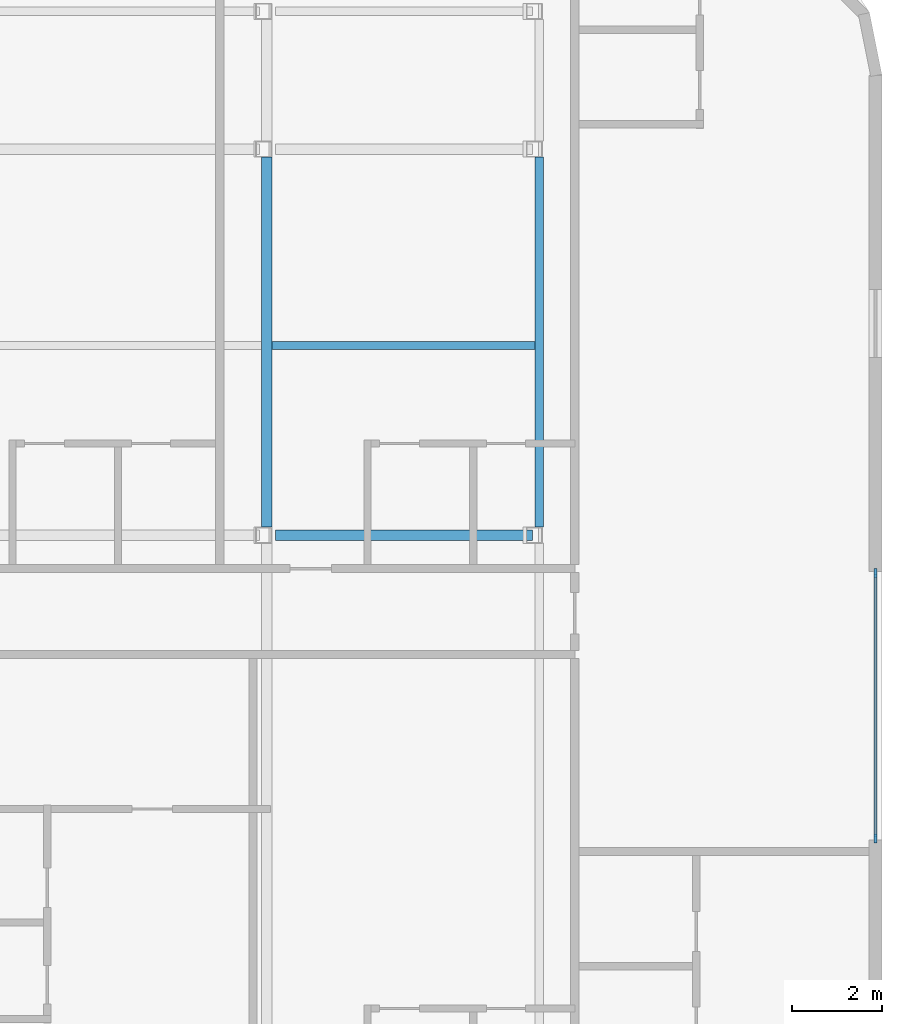
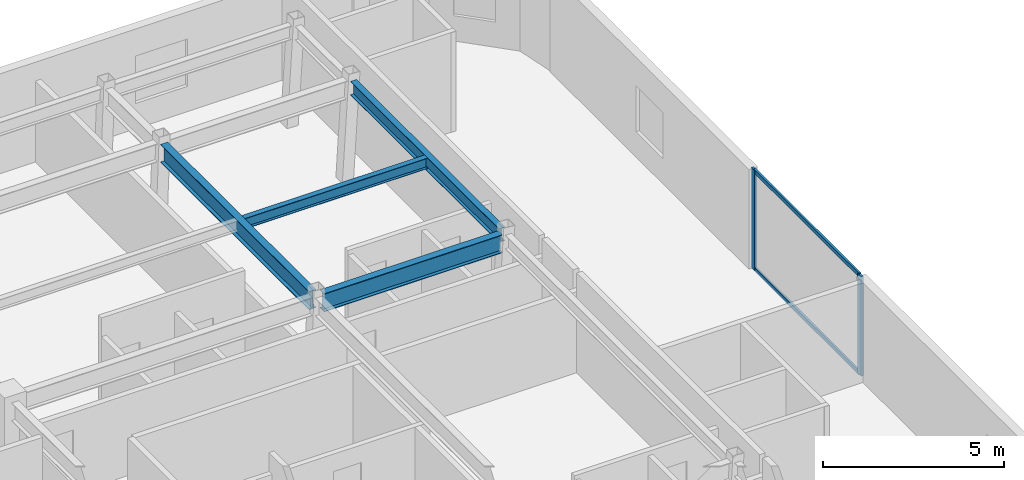
# One storey, part 6 of 16: 4 beams, 4 members, 1 element without a shape of its own.
"""IFC4 building model written with IfcOpenShell, lengths in metres."""

from ifc_helpers import new_model, si_unit, direction, frame, origin, origin_2d, place, context, subcontext, project, spatial, rectangle, i_section, extrude, material, layer, layer_set, material_profile, profile_set, type_object, element, aggregate, save


model = new_model("IFC4")

# Units and contexts
model_context = context("Model", 3, precision=1e-05, world=origin(), true_north=direction((0.0, 1.0)))
body_context = subcontext(model_context, "Body", "Model", "MODEL_VIEW")
ifc_project = project(units=[si_unit("LENGTHUNIT", "METRE"), si_unit("AREAUNIT", "SQUARE_METRE"), si_unit("VOLUMEUNIT", "CUBIC_METRE"), si_unit("PLANEANGLEUNIT", "RADIAN"), si_unit("MASSUNIT", "GRAM", prefix="KILO")], contexts=[model_context])

# Site, building, storey
site_placement = place(None, origin())
site = spatial("IfcSite", under=ifc_project, at=site_placement, CompositionType="ELEMENT")
building_placement = place(site_placement, origin())
building = spatial("IfcBuilding", under=site, at=building_placement, Name="Ochreholt Gables", CompositionType="ELEMENT")
storey_placement = place(building_placement, frame((0.0, 0.0, 141.0)))
storey = spatial("IfcBuildingStorey", under=building, at=storey_placement, Name="L36", CompositionType="ELEMENT", Elevation=141.0)

# Beams
ifc_material_1 = material(Name="Steel CSA G40.21 350W", Category="steel")
ifc_material_profile_1 = material_profile(ifc_material_1, i_section(OverallWidth=0.22900390625, OverallDepth=0.612060546875, WebThickness=0.011962890625, FlangeThickness=0.01953125, at=origin_2d()), Name="W610X125")
ifc_profile_set_1 = profile_set([ifc_material_profile_1], Name="Steel CSA G40.21 350W")
beam_type_1 = type_object("IfcBeamType", Name="BM-G-W610B", PredefinedType="BEAM", material=ifc_profile_set_1)
beam_1_placement = place(storey_placement, frame((45.174560546875, 30.199951171875, 3.053955078125), z_axis=(1.0, 0.0, 0.0), x_axis=(0.0, 1.0, 0.0)))
element("IfcBeam", 1, at=beam_1_placement, inside=storey, type_object=beam_type_1, Name="L36 Beam TBG-L36-EMEE-Y4", PredefinedType="BEAM", context=body_context, shape_type="SweptSolid", body=[
    extrude(i_section(OverallWidth=0.22900390625, OverallDepth=0.612060546875, WebThickness=0.011962890625, FlangeThickness=0.01953125, at=origin_2d()), origin(), (0.0, 0.0, 1.0), 5.69140625),
])
beam_2_placement = place(storey_placement, frame((44.979736328125, 30.377685546875, 3.053955078125), z_axis=(0.0, 1.0, 0.0), x_axis=(-1.0, 0.0, 0.0)))
element("IfcBeam", 2, at=beam_2_placement, inside=storey, type_object=beam_type_1, Name="L36 Beam TBN-L36-EM-Y4Y5", PredefinedType="BEAM", context=body_context, shape_type="SweptSolid", body=[
    extrude(i_section(OverallWidth=0.22900390625, OverallDepth=0.612060546875, WebThickness=0.011962890625, FlangeThickness=0.01953125, at=origin_2d()), origin(), (0.0, 0.0, 1.0), 8.19482421875),
])
ifc_material_profile_2 = material_profile(ifc_material_1, i_section(OverallWidth=0.172119140625, OverallDepth=0.35791015625, WebThickness=0.0078125, FlangeThickness=0.01318359375, at=origin_2d()), Name="W360X57")
ifc_profile_set_2 = profile_set([ifc_material_profile_2], Name="Steel CSA G40.21 350W")
beam_type_2 = type_object("IfcBeamType", Name="BM-J-W360B", PredefinedType="JOIST", material=ifc_profile_set_2)
beam_3_placement = place(storey_placement, frame((45.093994140625, 34.39990234375, 3.180908203125), z_axis=(1.0, 0.0, 0.0), x_axis=(0.0, 1.0, 0.0)))
element("IfcBeam", 3, at=beam_3_placement, inside=storey, type_object=beam_type_2, Name="L36 Beam TBJ-L36-J2-EMEE", PredefinedType="JOIST", context=body_context, shape_type="SweptSolid", body=[
    extrude(i_section(OverallWidth=0.172119140625, OverallDepth=0.35791015625, WebThickness=0.0078125, FlangeThickness=0.01318359375, at=origin_2d()), origin(), (0.0, 0.0, 1.0), 5.82568359375),
])
ifc_material_profile_3 = material_profile(ifc_material_1, i_section(OverallWidth=0.19189453125, OverallDepth=0.462890625, WebThickness=0.010498046875, FlangeThickness=0.017578125, at=origin_2d()), Name="W460X89")
ifc_profile_set_3 = profile_set([ifc_material_profile_3], Name="Steel CSA G40.21 350W")
beam_type_3 = type_object("IfcBeamType", Name="BM-SP-W460A", PredefinedType="SPANDREL", material=ifc_profile_set_3)
beam_4_placement = place(storey_placement, frame((51.01513671875, 30.377685546875, 3.12841796875), z_axis=(0.0, 1.0, 0.0), x_axis=(-1.0, 0.0, 0.0)))
element("IfcBeam", 4, at=beam_4_placement, inside=storey, type_object=beam_type_3, Name="L36 Beam TBN-L36-EE-Y4Y5", PredefinedType="SPANDREL", context=body_context, shape_type="SweptSolid", body=[
    extrude(i_section(OverallWidth=0.19189453125, OverallDepth=0.462890625, WebThickness=0.010498046875, FlangeThickness=0.017578125, at=origin_2d()), origin(), (0.0, 0.0, 1.0), 8.19482421875),
])

# Curtain wall, members
ifc_material_2 = material(Name="Unitised Aluminium and Triple Glazing", Category="aluminium")
ifc_layer = layer(ifc_material_2, 0.199951171875, Name="Unitised Aluminium and Triple Glazing")
ifc_layer_set = layer_set([ifc_layer], Name="Unitised Aluminium and Triple Glazing")
curtain_wall_type = type_object("IfcCurtainWallType", Name="CW-SYS4", PredefinedType="NOTDEFINED", material=ifc_layer_set)
curtain_wall_placement = place(storey_placement, origin())
curtain_wall = element("IfcCurtainWall", 5, at=curtain_wall_placement, inside=storey, type_object=curtain_wall_type, Name="L36 East Unitised Curtain Wall", PredefinedType="NOTDEFINED")
ifc_material_3 = material(Name="Anodized Aluminium 6063-T6", Category="aluminium")
ifc_material_profile_4 = material_profile(ifc_material_3, rectangle(XDim=0.074951171875, YDim=0.199951171875, at=origin_2d()), Name="CWM75X200")
ifc_profile_set_4 = profile_set([ifc_material_profile_4], Name="Anodized Aluminium 6063-T6")
member_type_1 = type_object("IfcMemberType", Name="CW-MUL-A", PredefinedType="MULLION", material=ifc_profile_set_4)
member_1_placement = place(storey_placement, frame((58.4599609375, 23.487548828125, 0.0), z_axis=(0.0, 0.0, 1.0), x_axis=(-1.0, 0.0, 0.0)))
member_1 = element("IfcMember", 6, at=member_1_placement, type_object=member_type_1, Name="CW-4 mullion 1", PredefinedType="MULLION", context=body_context, shape_type="SweptSolid", body=[
    extrude(rectangle(XDim=0.074951171875, YDim=0.199951171875, at=origin_2d()), origin(), (0.0, 0.0, 1.0), 3.360107421875),
])
member_2_placement = place(storey_placement, frame((58.4599609375, 29.362548828125, 0.0), z_axis=(0.0, 0.0, 1.0), x_axis=(-1.0, 0.0, 0.0)))
member_2 = element("IfcMember", 7, at=member_2_placement, type_object=member_type_1, Name="CW-4 mullion 2", PredefinedType="MULLION", context=body_context, shape_type="SweptSolid", body=[
    extrude(rectangle(XDim=0.074951171875, YDim=0.199951171875, at=origin_2d()), origin(), (0.0, 0.0, 1.0), 3.360107421875),
])
ifc_material_profile_5 = material_profile(ifc_material_3, rectangle(XDim=0.06494140625, YDim=0.135009765625, at=origin_2d()), Name="CWT65X135")
ifc_profile_set_5 = profile_set([ifc_material_profile_5], Name="Anodized Aluminium 6063-T6")
member_type_2 = type_object("IfcMemberType", Name="CW-TRN-B", PredefinedType="USERDEFINED", material=ifc_profile_set_5)
member_3_placement = place(storey_placement, frame((58.4599609375, 23.52490234375, 0.032470703125), z_axis=(0.0, 1.0, 0.0), x_axis=(-1.0, 0.0, 0.0)))
member_3 = element("IfcMember", 8, at=member_3_placement, type_object=member_type_2, Name="CW-4 transom 1.1", ObjectType="TRANSOM", PredefinedType="USERDEFINED", context=body_context, shape_type="SweptSolid", body=[
    extrude(rectangle(XDim=0.06494140625, YDim=0.135009765625, at=origin_2d()), origin(), (0.0, 0.0, 1.0), 5.800048828125),
])
member_4_placement = place(storey_placement, frame((58.4599609375, 23.52490234375, 3.327392578125), z_axis=(0.0, 1.0, 0.0), x_axis=(-1.0, 0.0, 0.0)))
member_4 = element("IfcMember", 9, at=member_4_placement, type_object=member_type_2, Name="CW-4 transom 1.2", ObjectType="TRANSOM", PredefinedType="USERDEFINED", context=body_context, shape_type="SweptSolid", body=[
    extrude(rectangle(XDim=0.06494140625, YDim=0.135009765625, at=origin_2d()), origin(), (0.0, 0.0, 1.0), 5.800048828125),
])
aggregate(curtain_wall, [member_1, member_2, member_3, member_4])

save(model, "model.ifc")
